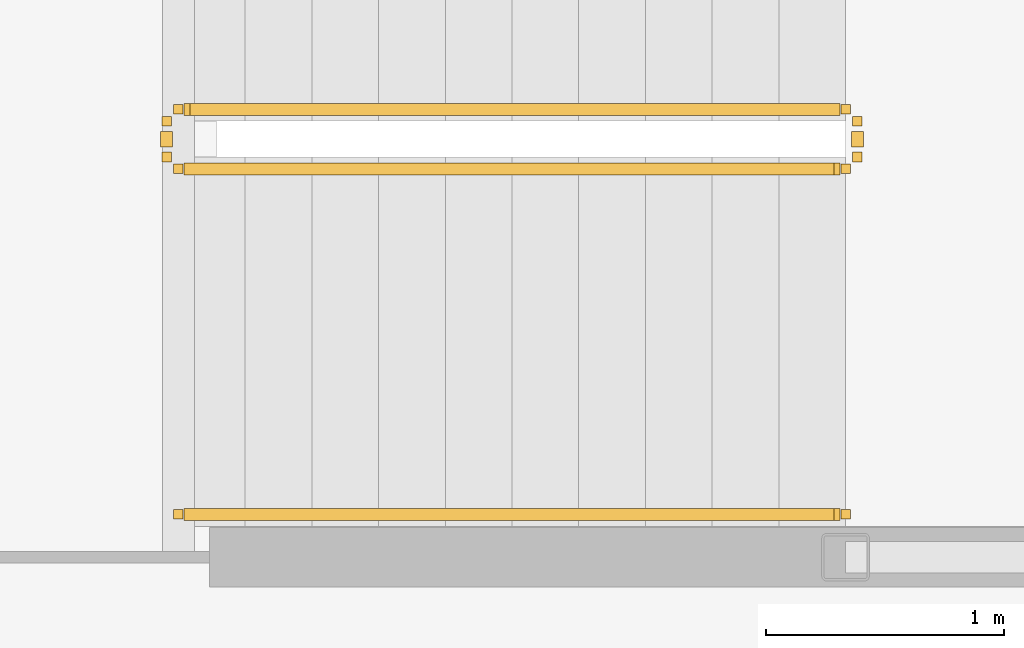
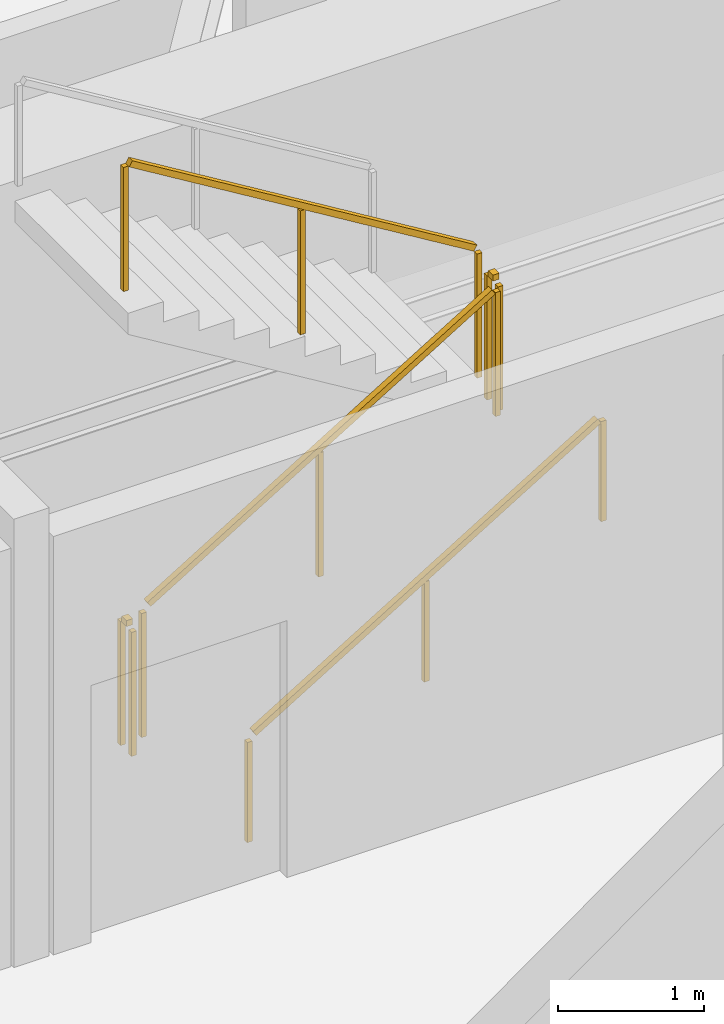
# One storey, part 19 of 20: 5 railings.
"""IFC4 building model written with IfcOpenShell, lengths in metres."""

from ifc_helpers import new_model, si_unit, direction, frame, origin, origin_2d, place, context, subcontext, project, spatial, rectangle, extrude, material, type_object, element, save


model = new_model("IFC4")

# Units and contexts
model_context = context("Model", 3, precision=1e-05, world=origin(), true_north=direction((0.0, 1.0)))
body_context = subcontext(model_context, "Body", "Model", "MODEL_VIEW")
ifc_project = project(units=[si_unit("LENGTHUNIT", "METRE"), si_unit("AREAUNIT", "SQUARE_METRE"), si_unit("VOLUMEUNIT", "CUBIC_METRE"), si_unit("PLANEANGLEUNIT", "RADIAN"), si_unit("MASSUNIT", "GRAM", prefix="KILO")], contexts=[model_context])

# Site, building, storey
site_placement = place(None, origin())
site = spatial("IfcSite", under=ifc_project, at=site_placement, CompositionType="ELEMENT")
building_placement = place(site_placement, origin())
building = spatial("IfcBuilding", under=site, at=building_placement, Name="Kazma Halo Residences", CompositionType="ELEMENT")
storey_placement = place(building_placement, frame((0.0, 0.0, 150.300048828125)))
storey = spatial("IfcBuildingStorey", under=building, at=storey_placement, Name="L37", CompositionType="ELEMENT", Elevation=150.300048828125)

# Railings
ifc_material_1 = material(Name="Painted Steel S355", Category="steel")
railing_type_1 = type_object("IfcRailingType", Name="RLG-STAIR-GRD-1100", PredefinedType="GUARDRAIL", material=ifc_material_1)
railing_1_placement = place(storey_placement, frame((53.199951171875, 48.25, 0.17041015625)))
element("IfcRailing", 1, at=railing_1_placement, inside=storey, type_object=railing_type_1, Name="L37 ST-02 stair guard 1", PredefinedType="GUARDRAIL", context=body_context, shape_type="SweptSolid", body=[
    extrude(rectangle(XDim=0.050048828125, YDim=0.050048828125, at=origin_2d()), frame((0.036376953125, 0.0, 1.09716796875), z_axis=(0.854169791009, 0.0, 0.51999420009), x_axis=(0.0, 1.0, 0.0)), (0.0, 0.0, 1.0), 3.193115234375),
    extrude(rectangle(XDim=0.0400390625, YDim=0.0400390625, at=origin_2d()), origin(), (0.0, 0.0, 1.0), 1.0380859375),
    extrude(rectangle(XDim=0.0400390625, YDim=0.0400390625, at=origin_2d()), frame((1.39990234375, 0.0, 0.852294921875)), (0.0, 0.0, 1.0), 1.0380859375),
    extrude(rectangle(XDim=0.0400390625, YDim=0.0400390625, at=origin_2d()), frame((2.800048828125, 0.0, 1.70458984375)), (0.0, 0.0, 1.0), 1.0380859375),
])
railing_2_placement = place(storey_placement, frame((56.050048828125, 48.300048828125, 1.875)))
element("IfcRailing", 2, at=railing_2_placement, inside=storey, type_object=railing_type_1, Name="L37 ST-02 stair guard 2", PredefinedType="GUARDRAIL", context=body_context, shape_type="SweptSolid", body=[
    extrude(rectangle(XDim=0.050048828125, YDim=0.050048828125, at=origin_2d()), frame((0.0, 0.04248046875, 1.0751953125), z_axis=(0.0, 1.0, 0.0), x_axis=(-1.0, 0.0, 0.0)), (0.0, 0.0, 1.0), 0.06494140625),
    extrude(rectangle(XDim=0.0400390625, YDim=0.0400390625, at=origin_2d()), origin(), (0.0, 0.0, 1.0), 1.0380859375),
    extrude(rectangle(XDim=0.0400390625, YDim=0.0400390625, at=origin_2d()), frame((0.0, 0.14990234375, 0.0)), (0.0, 0.0, 1.0), 1.0380859375),
])
railing_3_placement = place(storey_placement, frame((56.0, 48.5, 2.04541015625)))
element("IfcRailing", 3, at=railing_3_placement, inside=storey, type_object=railing_type_1, Name="L37 ST-02 stair guard 3", PredefinedType="GUARDRAIL", context=body_context, shape_type="SweptSolid", body=[
    extrude(rectangle(XDim=0.050048828125, YDim=0.050048828125, at=origin_2d()), frame((-0.036376953125, 0.0, 1.09716796875), z_axis=(-0.854169791009, 0.0, 0.51999420009), x_axis=(0.0, -1.0, 0.0)), (0.0, 0.0, 1.0), 3.193115234375),
    extrude(rectangle(XDim=0.0400390625, YDim=0.0400390625, at=origin_2d()), origin(), (0.0, 0.0, 1.0), 1.0380859375),
    extrude(rectangle(XDim=0.0400390625, YDim=0.0400390625, at=origin_2d()), frame((-1.39990234375, 0.0, 0.852294921875)), (0.0, 0.0, 1.0), 1.0380859375),
    extrude(rectangle(XDim=0.0400390625, YDim=0.0400390625, at=origin_2d()), frame((-2.800048828125, 0.0, 1.70458984375)), (0.0, 0.0, 1.0), 1.0380859375),
])
railing_4_placement = place(storey_placement, frame((53.14990234375, 48.300048828125, 0.0)))
element("IfcRailing", 4, at=railing_4_placement, inside=storey, type_object=railing_type_1, Name="L37 ST-02 stair guard 4", PredefinedType="GUARDRAIL", context=body_context, shape_type="SweptSolid", body=[
    extrude(rectangle(XDim=0.050048828125, YDim=0.050048828125, at=origin_2d()), frame((0.0, 0.04248046875, 1.0751953125), z_axis=(0.0, 1.0, 0.0), x_axis=(-1.0, 0.0, 0.0)), (0.0, 0.0, 1.0), 0.06494140625),
    extrude(rectangle(XDim=0.0400390625, YDim=0.0400390625, at=origin_2d()), origin(), (0.0, 0.0, 1.0), 1.0380859375),
    extrude(rectangle(XDim=0.0400390625, YDim=0.0400390625, at=origin_2d()), frame((0.0, 0.14990234375, 0.0)), (0.0, 0.0, 1.0), 1.0380859375),
])
ifc_material_2 = material(Name="Brushed Stainless Steel", Category="steel")
railing_type_2 = type_object("IfcRailingType", Name="RLG-STAIR-HND-900", PredefinedType="HANDRAIL", material=ifc_material_2)
railing_5_placement = place(storey_placement, frame((53.199951171875, 46.800048828125, 0.17041015625)))
element("IfcRailing", 5, at=railing_5_placement, inside=storey, type_object=railing_type_2, Name="L37 ST-02 stair handrail 1", PredefinedType="HANDRAIL", context=body_context, shape_type="SweptSolid", body=[
    extrude(rectangle(XDim=0.050048828125, YDim=0.050048828125, at=origin_2d()), frame((0.036376953125, 0.0, 0.89697265625), z_axis=(0.854169791009, 0.0, 0.51999420009), x_axis=(0.0, 1.0, 0.0)), (0.0, 0.0, 1.0), 3.193115234375),
    extrude(rectangle(XDim=0.0400390625, YDim=0.0400390625, at=origin_2d()), origin(), (0.0, 0.0, 1.0), 0.837890625),
    extrude(rectangle(XDim=0.0400390625, YDim=0.0400390625, at=origin_2d()), frame((1.39990234375, 0.0, 0.852294921875)), (0.0, 0.0, 1.0), 0.837890625),
    extrude(rectangle(XDim=0.0400390625, YDim=0.0400390625, at=origin_2d()), frame((2.800048828125, 0.0, 1.70458984375)), (0.0, 0.0, 1.0), 0.837890625),
])

save(model, "model.ifc")
